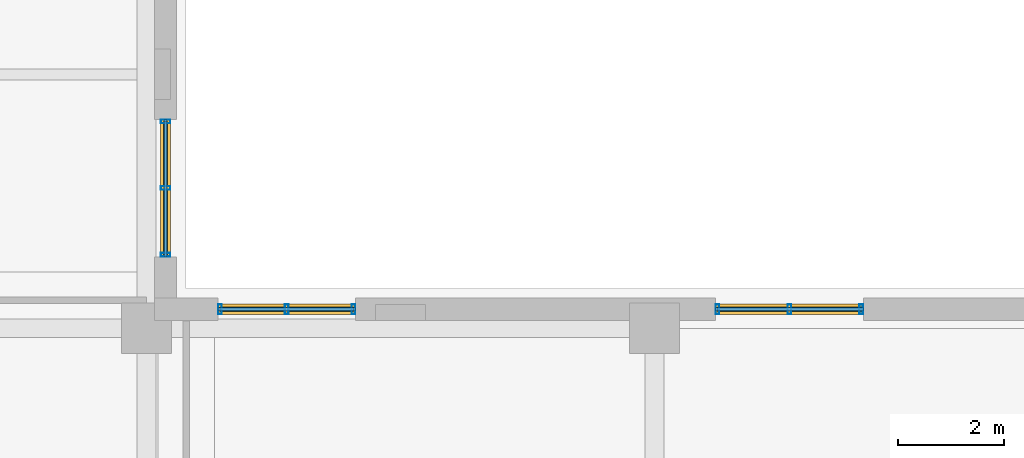
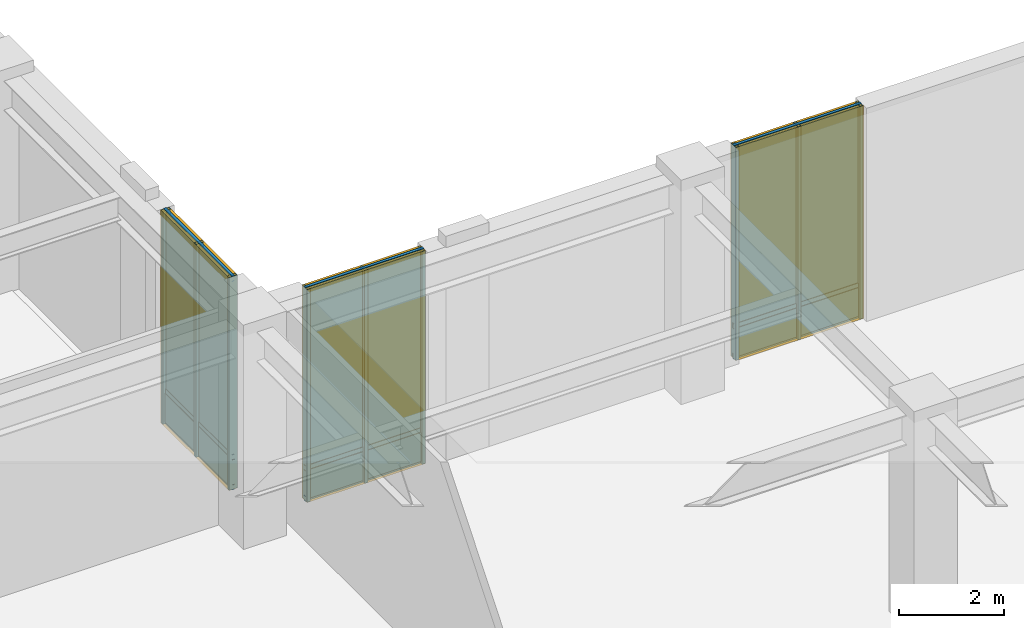
# One storey, part 11 of 18: 18 members, 12 plates, 3 curtain walls.
"""IFC4 building model written with IfcOpenShell, lengths in metres."""

import ifcopenshell
import ifcopenshell.guid

model = None  # the IFC model being written
_history = None  # IfcOwnerHistory: only IFC2X3 demands one
_inside = {}  # id of a spatial element -> (the spatial element, [elements in it])
_under = {}  # id of a project, library or spatial element -> (it, [spatial elements below it])
_declared = {}  # id of a project -> (the project, [libraries it declares])
_typed = {}  # id of a type object -> (the type object, [elements of that type])
_made_of = {}  # id of a material, layer set ... -> (it, [elements and type objects made of it])


def new_model(schema):
    """Start an empty IFC model of exactly this schema.

    Asked for "IFC4X3", IfcOpenShell would pick the latest addendum, in which some entities
    have other attributes; the version numbers below select the first issue.
    IFC2X3 requires an IfcOwnerHistory on every rooted entity: one is made here for all.
    """
    global model, _history
    if schema == "IFC4X3":
        model = ifcopenshell.file(schema_version=(4, 3, 0, 0))
    else:
        model = ifcopenshell.file(schema=schema)
    _inside.clear()
    _under.clear()
    _declared.clear()
    _typed.clear()
    _made_of.clear()
    _history = None
    if model.schema == "IFC2X3":
        org = make("IfcOrganization", Name="unknown")
        user = make(
            "IfcPersonAndOrganization",
            ThePerson=make("IfcPerson", FamilyName="unknown"),
            TheOrganization=org,
        )
        app = make(
            "IfcApplication",
            ApplicationDeveloper=org,
            Version="unknown",
            ApplicationFullName="unknown",
            ApplicationIdentifier="unknown",
        )
        _history = make(
            "IfcOwnerHistory",
            OwningUser=user,
            OwningApplication=app,
            ChangeAction="ADDED",
            CreationDate=0,
        )
    return model


def make(cls, **values):
    """One entity of the class cls with the attributes given. An attribute that is None is left unset."""
    return model.create_entity(
        cls, **{name: value for name, value in values.items() if value is not None}
    )


def rooted(cls, **values):
    """An entity with a GlobalId (a new one), such as an element, a storey or a relation."""
    return make(cls, GlobalId=ifcopenshell.guid.new(), OwnerHistory=_history, **values)


def si_unit(unit_type, name, prefix=None):
    """IfcSIUnit, for example si_unit("LENGTHUNIT", "METRE", prefix="MILLI")."""
    return make("IfcSIUnit", UnitType=unit_type, Prefix=prefix, Name=name)


def assignment(units):
    """IfcUnitAssignment: the units of a project."""
    return None if units is None else make("IfcUnitAssignment", Units=units)


def point(xyz):
    """IfcCartesianPoint."""
    return None if xyz is None else make("IfcCartesianPoint", Coordinates=xyz)


def direction(xyz):
    """IfcDirection."""
    return None if xyz is None else make("IfcDirection", DirectionRatios=xyz)


def frame(location, z_axis=None, x_axis=None):
    """IfcAxis2Placement3D, a coordinate frame: its origin and axes. An axis left out is left unset."""
    return make(
        "IfcAxis2Placement3D",
        Location=point(location),
        Axis=direction(z_axis),
        RefDirection=direction(x_axis),
    )


def frame_2d(location, x_axis=None):
    """IfcAxis2Placement2D, a coordinate frame in the plane: its origin and x axis."""
    return make(
        "IfcAxis2Placement2D", Location=point(location), RefDirection=direction(x_axis)
    )


def origin():
    """The frame at (0, 0, 0) with its axes left unset."""
    return frame((0.0, 0.0, 0.0))


def origin_2d():
    """The frame at (0, 0) in the plane with its x axis left unset."""
    return frame_2d((0.0, 0.0))


def place(relative_to, where):
    """IfcLocalPlacement: puts the frame where relative to a parent placement (None: the world)."""
    return make(
        "IfcLocalPlacement", PlacementRelTo=relative_to, RelativePlacement=where
    )


def context(
    kind, dimensions, precision=None, world=None, true_north=None, identifier=None
):
    """IfcGeometricRepresentationContext, for example the 3D "Model" context."""
    return make(
        "IfcGeometricRepresentationContext",
        ContextIdentifier=identifier,
        ContextType=kind,
        CoordinateSpaceDimension=dimensions,
        Precision=precision,
        WorldCoordinateSystem=world,
        TrueNorth=true_north,
    )


def subcontext(parent, identifier, kind, view, scale=None):
    """IfcGeometricRepresentationSubContext, for example "Body" below "Model"."""
    return make(
        "IfcGeometricRepresentationSubContext",
        ContextIdentifier=identifier,
        ContextType=kind,
        ParentContext=parent,
        TargetScale=scale,
        TargetView=view,
    )


def project(units=None, contexts=None):
    """IfcProject with its units and contexts."""
    return rooted(
        "IfcProject",
        Name="project",
        RepresentationContexts=contexts,
        UnitsInContext=assignment(units),
    )


def spatial(cls, under=None, at=None, **own):
    """A site, building, storey or space (cls), placed at a placement, below another one or the project."""
    s = rooted(cls, ObjectPlacement=at, **own)
    if under is not None:
        _under.setdefault(under.id(), (under, []))[1].append(s)
    return s


def profile(cls, at=None, kind="AREA", **sizes):
    """A parametric profile (cls). Its sizes go by their IFC names, for example OverallWidth=200.0."""
    return make(cls, ProfileType=kind, Position=at, **sizes)


def rectangle(**sizes):
    """IfcRectangleProfileDef."""
    return profile("IfcRectangleProfileDef", **sizes)


def hollow_rectangle(**sizes):
    """IfcRectangleHollowProfileDef."""
    return profile("IfcRectangleHollowProfileDef", **sizes)


def extrude(swept, where, along, depth):
    """IfcExtrudedAreaSolid: the profile swept, set in the frame where, extruded along a direction by depth."""
    return make(
        "IfcExtrudedAreaSolid",
        SweptArea=swept,
        Position=where,
        ExtrudedDirection=direction(along),
        Depth=depth,
    )


def shape(context_of_items, identifier, shape_type, items):
    """IfcShapeRepresentation: the items that make up one representation, for example the "Body"."""
    return make(
        "IfcShapeRepresentation",
        ContextOfItems=context_of_items,
        RepresentationIdentifier=identifier,
        RepresentationType=shape_type,
        Items=items,
    )


def material(Name=None, Category=None):
    """IfcMaterial."""
    return make("IfcMaterial", Name=Name, Category=Category)


def layer(
    of_material, thickness, ventilated=None, Name=None, Category=None, Priority=None
):
    """IfcMaterialLayer: one layer of a wall or slab, of a material (None: an air gap)."""
    return make(
        "IfcMaterialLayer",
        Material=of_material,
        LayerThickness=thickness,
        IsVentilated=ventilated,
        Name=Name,
        Category=Category,
        Priority=Priority,
    )


def layer_set(layers, Name=None):
    """IfcMaterialLayerSet."""
    return make("IfcMaterialLayerSet", MaterialLayers=layers, LayerSetName=Name)


def material_profile(
    of_material, cross_section, Name=None, Category=None, Priority=None
):
    """IfcMaterialProfile: a cross section and its material."""
    return make(
        "IfcMaterialProfile",
        Name=Name,
        Material=of_material,
        Profile=cross_section,
        Priority=Priority,
        Category=Category,
    )


def profile_set(profiles, Name=None, composite=None):
    """IfcMaterialProfileSet."""
    return make(
        "IfcMaterialProfileSet",
        Name=Name,
        MaterialProfiles=profiles,
        CompositeProfile=composite,
    )


def made_of(thing, what):
    """Note that an element or type object is made of a material, layer set ...; save() writes the relation."""
    if what is not None:
        _made_of.setdefault(what.id(), (what, []))[1].append(thing)
    return thing


def type_object(cls, material=None, **own):
    """A type object (cls), such as IfcWallType, which elements share."""
    return made_of(rooted(cls, **own), material)


def element(
    cls,
    number,
    at=None,
    inside=None,
    cuts=None,
    type_object=None,
    material=None,
    context=None,
    identifier="Body",
    shape_type=None,
    held_by="IfcProductDefinitionShape",
    body=None,
    shapes=None,
    **own,
):
    """One element of the class cls, such as IfcWall. Its Tag is "e" and its number.

    at: its placement. inside: the storey or other place that contains it. cuts: it is an
    opening in that element (IfcRelVoidsElement). A single representation is given by context,
    identifier, shape_type and body (its items); several are given by shapes. held_by: the class
    of the entity that holds the representations. save() writes the other relations.
    """
    e = rooted(cls, Tag="e%d" % number, ObjectPlacement=at, **own)
    if body is not None:
        shapes = [shape(context, identifier, shape_type, body)]
    if shapes is not None:
        e.Representation = make(held_by, Representations=shapes)
    if inside is not None:
        _inside.setdefault(inside.id(), (inside, []))[1].append(e)
    if cuts is not None:
        rooted(
            "IfcRelVoidsElement", RelatingBuildingElement=cuts, RelatedOpeningElement=e
        )
    if type_object is not None:
        _typed.setdefault(type_object.id(), (type_object, []))[1].append(e)
    return made_of(e, material)


def aggregate(whole, parts):
    """IfcRelAggregates: a whole, such as a stair, and the parts it consists of."""
    return rooted("IfcRelAggregates", RelatingObject=whole, RelatedObjects=parts)


def save(model, path):
    """Write the relations noted so far, then the file.

    IfcRelAggregates (storeys below a building ...), IfcRelContainedInSpatialStructure (elements
    in a storey), IfcRelDefinesByType, IfcRelAssociatesMaterial and IfcRelDeclares: one each for
    every whole, place, type object, material and project.
    """
    for whole, parts in _under.values():
        aggregate(whole, parts)
    for where, things in _inside.values():
        rooted(
            "IfcRelContainedInSpatialStructure",
            RelatedElements=things,
            RelatingStructure=where,
        )
    for kind, things in _typed.values():
        rooted("IfcRelDefinesByType", RelatedObjects=things, RelatingType=kind)
    for what, things in _made_of.values():
        rooted("IfcRelAssociatesMaterial", RelatedObjects=things, RelatingMaterial=what)
    for by, libraries in _declared.values():
        rooted("IfcRelDeclares", RelatingContext=by, RelatedDefinitions=libraries)
    model.write(path)


model = new_model("IFC4")

# Units and contexts
model_context = context("Model", 3, precision=1e-05, world=origin(), true_north=direction((0.0, 1.0)))
body_context = subcontext(model_context, "Body", "Model", "MODEL_VIEW")
ifc_project = project(units=[si_unit("LENGTHUNIT", "METRE"), si_unit("AREAUNIT", "SQUARE_METRE"), si_unit("VOLUMEUNIT", "CUBIC_METRE"), si_unit("PLANEANGLEUNIT", "RADIAN"), si_unit("MASSUNIT", "GRAM", prefix="KILO")], contexts=[model_context])

# Member
ifc_material_1 = material(Name="Anodized Aluminium 6063-T6", Category="aluminium")
ifc_material_profile_1 = material_profile(ifc_material_1, hollow_rectangle(XDim=0.070068359375, YDim=0.179931640625, WallThickness=0.00390625, at=origin_2d()), Name="Anodized Aluminium 6063-T6")
ifc_profile_set_1 = profile_set([ifc_material_profile_1], Name="Anodized Aluminium 6063-T6")
member_type_1 = type_object("IfcMemberType", Name="Curtain Wall Mullion 180", PredefinedType="MULLION", material=ifc_profile_set_1)
site_placement = place(None, origin())
building_placement = place(site_placement, origin())
storey_placement = place(building_placement, frame((0.0, 0.0, 150.800048828125)))
member_1_placement = place(storey_placement, frame((51.159912109375, 38.010009765625, 0.0), z_axis=(0.0, 0.0, 1.0), x_axis=(-1.0, 0.0, 0.0)))
member_1 = element("IfcMember", 1, at=member_1_placement, type_object=member_type_1, Name="Curtain Wall Mullion CW-L38-E07-1-M01", PredefinedType="MULLION", context=body_context, shape_type="SweptSolid", body=[
    extrude(hollow_rectangle(XDim=0.070068359375, YDim=0.179931640625, WallThickness=0.00390625, at=origin_2d()), origin(), (0.0, 0.0, 1.0), 4.93994140625),
])

member_2_placement = place(storey_placement, frame((49.800048828125, 38.010009765625, 0.0), z_axis=(0.0, 0.0, 1.0), x_axis=(-1.0, 0.0, 0.0)))
member_2 = element("IfcMember", 2, at=member_2_placement, type_object=member_type_1, Name="Curtain Wall Mullion CW-L38-E07-1-M02", PredefinedType="MULLION", context=body_context, shape_type="SweptSolid", body=[
    extrude(hollow_rectangle(XDim=0.070068359375, YDim=0.179931640625, WallThickness=0.00390625, at=origin_2d()), origin(), (0.0, 0.0, 1.0), 4.93994140625),
])

member_3_placement = place(storey_placement, frame((48.43994140625, 38.010009765625, 0.0), z_axis=(0.0, 0.0, 1.0), x_axis=(-1.0, 0.0, 0.0)))
member_3 = element("IfcMember", 3, at=member_3_placement, type_object=member_type_1, Name="Curtain Wall Mullion CW-L38-E07-1-M03", PredefinedType="MULLION", context=body_context, shape_type="SweptSolid", body=[
    extrude(hollow_rectangle(XDim=0.070068359375, YDim=0.179931640625, WallThickness=0.00390625, at=origin_2d()), origin(), (0.0, 0.0, 1.0), 4.93994140625),
])

member_4_placement = place(storey_placement, frame((41.56005859375, 38.010009765625, 0.0), z_axis=(0.0, 0.0, 1.0), x_axis=(-1.0, 0.0, 0.0)))
member_4 = element("IfcMember", 4, at=member_4_placement, type_object=member_type_1, Name="Curtain Wall Mullion CW-L38-E07-2-M01", PredefinedType="MULLION", context=body_context, shape_type="SweptSolid", body=[
    extrude(hollow_rectangle(XDim=0.070068359375, YDim=0.179931640625, WallThickness=0.00390625, at=origin_2d()), origin(), (0.0, 0.0, 1.0), 4.93994140625),
])

member_5_placement = place(storey_placement, frame((40.300048828125, 38.010009765625, 0.0), z_axis=(0.0, 0.0, 1.0), x_axis=(-1.0, 0.0, 0.0)))
member_5 = element("IfcMember", 5, at=member_5_placement, type_object=member_type_1, Name="Curtain Wall Mullion CW-L38-E07-2-M02", PredefinedType="MULLION", context=body_context, shape_type="SweptSolid", body=[
    extrude(hollow_rectangle(XDim=0.070068359375, YDim=0.179931640625, WallThickness=0.00390625, at=origin_2d()), origin(), (0.0, 0.0, 1.0), 4.93994140625),
])

member_6_placement = place(storey_placement, frame((39.0400390625, 38.010009765625, 0.0), z_axis=(0.0, 0.0, 1.0), x_axis=(-1.0, 0.0, 0.0)))
member_6 = element("IfcMember", 6, at=member_6_placement, type_object=member_type_1, Name="Curtain Wall Mullion CW-L38-E07-2-M03", PredefinedType="MULLION", context=body_context, shape_type="SweptSolid", body=[
    extrude(hollow_rectangle(XDim=0.070068359375, YDim=0.179931640625, WallThickness=0.00390625, at=origin_2d()), origin(), (0.0, 0.0, 1.0), 4.93994140625),
])

member_7_placement = place(storey_placement, frame((38.010009765625, 39.0400390625, 0.0), z_axis=(0.0, 0.0, 1.0), x_axis=(0.0, 1.0, 0.0)))
member_7 = element("IfcMember", 7, at=member_7_placement, type_object=member_type_1, Name="Curtain Wall Mullion CW-L38-E08-1-M01", PredefinedType="MULLION", context=body_context, shape_type="SweptSolid", body=[
    extrude(hollow_rectangle(XDim=0.070068359375, YDim=0.179931640625, WallThickness=0.00390625, at=origin_2d()), origin(), (0.0, 0.0, 1.0), 4.93994140625),
])

member_8_placement = place(storey_placement, frame((38.010009765625, 40.300048828125, 0.0), z_axis=(0.0, 0.0, 1.0), x_axis=(0.0, 1.0, 0.0)))
member_8 = element("IfcMember", 8, at=member_8_placement, type_object=member_type_1, Name="Curtain Wall Mullion CW-L38-E08-1-M02", PredefinedType="MULLION", context=body_context, shape_type="SweptSolid", body=[
    extrude(hollow_rectangle(XDim=0.070068359375, YDim=0.179931640625, WallThickness=0.00390625, at=origin_2d()), origin(), (0.0, 0.0, 1.0), 4.93994140625),
])

member_9_placement = place(storey_placement, frame((38.010009765625, 41.56005859375, 0.0), z_axis=(0.0, 0.0, 1.0), x_axis=(0.0, 1.0, 0.0)))
member_9 = element("IfcMember", 9, at=member_9_placement, type_object=member_type_1, Name="Curtain Wall Mullion CW-L38-E08-1-M03", PredefinedType="MULLION", context=body_context, shape_type="SweptSolid", body=[
    extrude(hollow_rectangle(XDim=0.070068359375, YDim=0.179931640625, WallThickness=0.00390625, at=origin_2d()), origin(), (0.0, 0.0, 1.0), 4.93994140625),
])

ifc_material_profile_2 = material_profile(ifc_material_1, hollow_rectangle(XDim=0.06005859375, YDim=0.1201171875, WallThickness=0.00341796875, at=origin_2d()), Name="Anodized Aluminium 6063-T6")
ifc_profile_set_2 = profile_set([ifc_material_profile_2], Name="Anodized Aluminium 6063-T6")
member_type_2 = type_object("IfcMemberType", Name="Curtain Wall Transom 120", PredefinedType="USERDEFINED", material=ifc_profile_set_2)
member_10_placement = place(storey_placement, frame((51.199951171875, 38.010009765625, 0.050048828125), z_axis=(-1.0, 0.0, 0.0), x_axis=(0.0, -1.0, 0.0)))
member_10 = element("IfcMember", 10, at=member_10_placement, type_object=member_type_2, Name="Curtain Wall Transom CW-L38-E07-1-T01", ObjectType="TRANSOM", PredefinedType="USERDEFINED", context=body_context, shape_type="SweptSolid", body=[
    extrude(hollow_rectangle(XDim=0.06005859375, YDim=0.1201171875, WallThickness=0.00341796875, at=origin_2d()), origin(), (0.0, 0.0, 1.0), 2.800048828125),
])

member_11_placement = place(storey_placement, frame((51.199951171875, 38.010009765625, 0.75), z_axis=(-1.0, 0.0, 0.0), x_axis=(0.0, -1.0, 0.0)))
member_11 = element("IfcMember", 11, at=member_11_placement, type_object=member_type_2, Name="Curtain Wall Transom CW-L38-E07-1-T02", ObjectType="TRANSOM", PredefinedType="USERDEFINED", context=body_context, shape_type="SweptSolid", body=[
    extrude(hollow_rectangle(XDim=0.06005859375, YDim=0.1201171875, WallThickness=0.00341796875, at=origin_2d()), origin(), (0.0, 0.0, 1.0), 2.800048828125),
])

member_12_placement = place(storey_placement, frame((51.199951171875, 38.010009765625, 4.889892578125), z_axis=(-1.0, 0.0, 0.0), x_axis=(0.0, -1.0, 0.0)))
member_12 = element("IfcMember", 12, at=member_12_placement, type_object=member_type_2, Name="Curtain Wall Transom CW-L38-E07-1-T03", ObjectType="TRANSOM", PredefinedType="USERDEFINED", context=body_context, shape_type="SweptSolid", body=[
    extrude(hollow_rectangle(XDim=0.06005859375, YDim=0.1201171875, WallThickness=0.00341796875, at=origin_2d()), origin(), (0.0, 0.0, 1.0), 2.800048828125),
])

member_13_placement = place(storey_placement, frame((41.60009765625, 38.010009765625, 0.050048828125), z_axis=(-1.0, 0.0, 0.0), x_axis=(0.0, -1.0, 0.0)))
member_13 = element("IfcMember", 13, at=member_13_placement, type_object=member_type_2, Name="Curtain Wall Transom CW-L38-E07-2-T01", ObjectType="TRANSOM", PredefinedType="USERDEFINED", context=body_context, shape_type="SweptSolid", body=[
    extrude(hollow_rectangle(XDim=0.06005859375, YDim=0.1201171875, WallThickness=0.00341796875, at=origin_2d()), origin(), (0.0, 0.0, 1.0), 2.60009765625),
])

member_14_placement = place(storey_placement, frame((41.60009765625, 38.010009765625, 0.75), z_axis=(-1.0, 0.0, 0.0), x_axis=(0.0, -1.0, 0.0)))
member_14 = element("IfcMember", 14, at=member_14_placement, type_object=member_type_2, Name="Curtain Wall Transom CW-L38-E07-2-T02", ObjectType="TRANSOM", PredefinedType="USERDEFINED", context=body_context, shape_type="SweptSolid", body=[
    extrude(hollow_rectangle(XDim=0.06005859375, YDim=0.1201171875, WallThickness=0.00341796875, at=origin_2d()), origin(), (0.0, 0.0, 1.0), 2.60009765625),
])

member_15_placement = place(storey_placement, frame((41.60009765625, 38.010009765625, 4.889892578125), z_axis=(-1.0, 0.0, 0.0), x_axis=(0.0, -1.0, 0.0)))
member_15 = element("IfcMember", 15, at=member_15_placement, type_object=member_type_2, Name="Curtain Wall Transom CW-L38-E07-2-T03", ObjectType="TRANSOM", PredefinedType="USERDEFINED", context=body_context, shape_type="SweptSolid", body=[
    extrude(hollow_rectangle(XDim=0.06005859375, YDim=0.1201171875, WallThickness=0.00341796875, at=origin_2d()), origin(), (0.0, 0.0, 1.0), 2.60009765625),
])

member_16_placement = place(storey_placement, frame((38.010009765625, 39.0, 0.050048828125), z_axis=(0.0, 1.0, 0.0), x_axis=(-1.0, 0.0, 0.0)))
member_16 = element("IfcMember", 16, at=member_16_placement, type_object=member_type_2, Name="Curtain Wall Transom CW-L38-E08-1-T01", ObjectType="TRANSOM", PredefinedType="USERDEFINED", context=body_context, shape_type="SweptSolid", body=[
    extrude(hollow_rectangle(XDim=0.06005859375, YDim=0.1201171875, WallThickness=0.00341796875, at=origin_2d()), origin(), (0.0, 0.0, 1.0), 2.60009765625),
])

member_17_placement = place(storey_placement, frame((38.010009765625, 39.0, 0.75), z_axis=(0.0, 1.0, 0.0), x_axis=(-1.0, 0.0, 0.0)))
member_17 = element("IfcMember", 17, at=member_17_placement, type_object=member_type_2, Name="Curtain Wall Transom CW-L38-E08-1-T02", ObjectType="TRANSOM", PredefinedType="USERDEFINED", context=body_context, shape_type="SweptSolid", body=[
    extrude(hollow_rectangle(XDim=0.06005859375, YDim=0.1201171875, WallThickness=0.00341796875, at=origin_2d()), origin(), (0.0, 0.0, 1.0), 2.60009765625),
])

member_18_placement = place(storey_placement, frame((38.010009765625, 39.0, 4.889892578125), z_axis=(0.0, 1.0, 0.0), x_axis=(-1.0, 0.0, 0.0)))
member_18 = element("IfcMember", 18, at=member_18_placement, type_object=member_type_2, Name="Curtain Wall Transom CW-L38-E08-1-T03", ObjectType="TRANSOM", PredefinedType="USERDEFINED", context=body_context, shape_type="SweptSolid", body=[
    extrude(hollow_rectangle(XDim=0.06005859375, YDim=0.1201171875, WallThickness=0.00341796875, at=origin_2d()), origin(), (0.0, 0.0, 1.0), 2.60009765625),
])

# Plate
ifc_material_2 = material(Name="Triple Low-E Argon Glazing", Category="glass")
ifc_layer_1 = layer(ifc_material_2, 0.0439453125, Name="Triple Low-E Argon Glazing")
ifc_layer_set_1 = layer_set([ifc_layer_1], Name="Triple Low-E Argon Glazing")
plate_type_1 = type_object("IfcPlateType", Name="Plate CWGlazing 44", PredefinedType="CURTAIN_PANEL", material=ifc_layer_set_1)
plate_1_placement = place(storey_placement, frame((50.5, 38.010009765625, 0.7900390625), z_axis=(0.0, 0.0, 1.0), x_axis=(-1.0, 0.0, 0.0)))
plate_1 = element("IfcPlate", 19, at=plate_1_placement, type_object=plate_type_1, Name="Vision Glazing Panel CW-L38-E07-1-GL01", PredefinedType="CURTAIN_PANEL", context=body_context, shape_type="SweptSolid", body=[
    extrude(rectangle(XDim=1.320068359375, YDim=0.0439453125, at=origin_2d()), origin(), (0.0, 0.0, 1.0), 4.110107421875),
])

plate_2_placement = place(storey_placement, frame((49.10009765625, 38.010009765625, 0.7900390625), z_axis=(0.0, 0.0, 1.0), x_axis=(-1.0, 0.0, 0.0)))
plate_2 = element("IfcPlate", 20, at=plate_2_placement, type_object=plate_type_1, Name="Vision Glazing Panel CW-L38-E07-1-GL02", PredefinedType="CURTAIN_PANEL", context=body_context, shape_type="SweptSolid", body=[
    extrude(rectangle(XDim=1.320068359375, YDim=0.0439453125, at=origin_2d()), origin(), (0.0, 0.0, 1.0), 4.110107421875),
])

plate_3_placement = place(storey_placement, frame((40.949951171875, 38.010009765625, 0.7900390625), z_axis=(0.0, 0.0, 1.0), x_axis=(-1.0, 0.0, 0.0)))
plate_3 = element("IfcPlate", 21, at=plate_3_placement, type_object=plate_type_1, Name="Vision Glazing Panel CW-L38-E07-2-GL01", PredefinedType="CURTAIN_PANEL", context=body_context, shape_type="SweptSolid", body=[
    extrude(rectangle(XDim=1.219970703125, YDim=0.0439453125, at=origin_2d()), origin(), (0.0, 0.0, 1.0), 4.110107421875),
])

plate_4_placement = place(storey_placement, frame((39.64990234375, 38.010009765625, 0.7900390625), z_axis=(0.0, 0.0, 1.0), x_axis=(-1.0, 0.0, 0.0)))
plate_4 = element("IfcPlate", 22, at=plate_4_placement, type_object=plate_type_1, Name="Vision Glazing Panel CW-L38-E07-2-GL02", PredefinedType="CURTAIN_PANEL", context=body_context, shape_type="SweptSolid", body=[
    extrude(rectangle(XDim=1.219970703125, YDim=0.0439453125, at=origin_2d()), origin(), (0.0, 0.0, 1.0), 4.110107421875),
])

plate_5_placement = place(storey_placement, frame((38.010009765625, 39.64990234375, 0.7900390625), z_axis=(0.0, 0.0, 1.0), x_axis=(0.0, 1.0, 0.0)))
plate_5 = element("IfcPlate", 23, at=plate_5_placement, type_object=plate_type_1, Name="Vision Glazing Panel CW-L38-E08-1-GL01", PredefinedType="CURTAIN_PANEL", context=body_context, shape_type="SweptSolid", body=[
    extrude(rectangle(XDim=1.219970703125, YDim=0.0439453125, at=origin_2d()), origin(), (0.0, 0.0, 1.0), 4.110107421875),
])

plate_6_placement = place(storey_placement, frame((38.010009765625, 40.949951171875, 0.7900390625), z_axis=(0.0, 0.0, 1.0), x_axis=(0.0, 1.0, 0.0)))
plate_6 = element("IfcPlate", 24, at=plate_6_placement, type_object=plate_type_1, Name="Vision Glazing Panel CW-L38-E08-1-GL02", PredefinedType="CURTAIN_PANEL", context=body_context, shape_type="SweptSolid", body=[
    extrude(rectangle(XDim=1.219970703125, YDim=0.0439453125, at=origin_2d()), origin(), (0.0, 0.0, 1.0), 4.110107421875),
])

ifc_material_3 = material(Name="Insulated Aluminium Spandrel Panel", Category="aluminium")
ifc_layer_2 = layer(ifc_material_3, 0.080078125, Name="Insulated Aluminium Spandrel Panel")
ifc_layer_set_2 = layer_set([ifc_layer_2], Name="Insulated Aluminium Spandrel Panel")
plate_type_2 = type_object("IfcPlateType", Name="Plate CWSpandrel 80", PredefinedType="SHEET", material=ifc_layer_set_2)
plate_7_placement = place(storey_placement, frame((50.5, 38.010009765625, 0.0400390625), z_axis=(0.0, 0.0, 1.0), x_axis=(-1.0, 0.0, 0.0)))
plate_7 = element("IfcPlate", 25, at=plate_7_placement, type_object=plate_type_2, Name="Spandrel Panel CW-L38-E07-1-SP01", PredefinedType="SHEET", context=body_context, shape_type="SweptSolid", body=[
    extrude(rectangle(XDim=1.320068359375, YDim=0.080078125, at=origin_2d()), origin(), (0.0, 0.0, 1.0), 0.669921875),
])

plate_8_placement = place(storey_placement, frame((49.10009765625, 38.010009765625, 0.0400390625), z_axis=(0.0, 0.0, 1.0), x_axis=(-1.0, 0.0, 0.0)))
plate_8 = element("IfcPlate", 26, at=plate_8_placement, type_object=plate_type_2, Name="Spandrel Panel CW-L38-E07-1-SP02", PredefinedType="SHEET", context=body_context, shape_type="SweptSolid", body=[
    extrude(rectangle(XDim=1.320068359375, YDim=0.080078125, at=origin_2d()), origin(), (0.0, 0.0, 1.0), 0.669921875),
])

plate_9_placement = place(storey_placement, frame((40.949951171875, 38.010009765625, 0.0400390625), z_axis=(0.0, 0.0, 1.0), x_axis=(-1.0, 0.0, 0.0)))
plate_9 = element("IfcPlate", 27, at=plate_9_placement, type_object=plate_type_2, Name="Spandrel Panel CW-L38-E07-2-SP01", PredefinedType="SHEET", context=body_context, shape_type="SweptSolid", body=[
    extrude(rectangle(XDim=1.219970703125, YDim=0.080078125, at=origin_2d()), origin(), (0.0, 0.0, 1.0), 0.669921875),
])

plate_10_placement = place(storey_placement, frame((39.64990234375, 38.010009765625, 0.0400390625), z_axis=(0.0, 0.0, 1.0), x_axis=(-1.0, 0.0, 0.0)))
plate_10 = element("IfcPlate", 28, at=plate_10_placement, type_object=plate_type_2, Name="Spandrel Panel CW-L38-E07-2-SP02", PredefinedType="SHEET", context=body_context, shape_type="SweptSolid", body=[
    extrude(rectangle(XDim=1.219970703125, YDim=0.080078125, at=origin_2d()), origin(), (0.0, 0.0, 1.0), 0.669921875),
])

plate_11_placement = place(storey_placement, frame((38.010009765625, 39.64990234375, 0.0400390625), z_axis=(0.0, 0.0, 1.0), x_axis=(0.0, 1.0, 0.0)))
plate_11 = element("IfcPlate", 29, at=plate_11_placement, type_object=plate_type_2, Name="Spandrel Panel CW-L38-E08-1-SP01", PredefinedType="SHEET", context=body_context, shape_type="SweptSolid", body=[
    extrude(rectangle(XDim=1.219970703125, YDim=0.080078125, at=origin_2d()), origin(), (0.0, 0.0, 1.0), 0.669921875),
])

plate_12_placement = place(storey_placement, frame((38.010009765625, 40.949951171875, 0.0400390625), z_axis=(0.0, 0.0, 1.0), x_axis=(0.0, 1.0, 0.0)))
plate_12 = element("IfcPlate", 30, at=plate_12_placement, type_object=plate_type_2, Name="Spandrel Panel CW-L38-E08-1-SP02", PredefinedType="SHEET", context=body_context, shape_type="SweptSolid", body=[
    extrude(rectangle(XDim=1.219970703125, YDim=0.080078125, at=origin_2d()), origin(), (0.0, 0.0, 1.0), 0.669921875),
])

# Site, building, storey
site = spatial("IfcSite", under=ifc_project, at=site_placement, CompositionType="ELEMENT")
building = spatial("IfcBuilding", under=site, at=building_placement, Name="Norrvale University Quadrangle", CompositionType="ELEMENT")
storey = spatial("IfcBuildingStorey", under=building, at=storey_placement, Name="L38", CompositionType="ELEMENT", Elevation=150.800048828125)

# Curtain wall
ifc_material_4 = material(Name="Anodized Aluminium and Triple Glazing", Category="glass")
curtain_wall_type = type_object("IfcCurtainWallType", Name="Curtain Wall System 3 Sky Lobby", PredefinedType="NOTDEFINED", material=ifc_material_4)
curtain_wall_1_placement = place(storey_placement, frame((51.199951171875, 38.010009765625, 0.0), z_axis=(0.0, 0.0, 1.0), x_axis=(-1.0, 0.0, 0.0)))
curtain_wall_1 = element("IfcCurtainWall", 31, at=curtain_wall_1_placement, inside=storey, type_object=curtain_wall_type, Name="Curtain Wall CW System 3 Sky Lobby CW-L38-E07-1", PredefinedType="NOTDEFINED", context=body_context, shape_type="SweptSolid", body=[
    extrude(rectangle(XDim=2.800048828125, YDim=0.18994140625, at=frame_2d((1.39990234375, 0.0))), origin(), (0.0, 0.0, 1.0), 4.93994140625),
])

aggregate(curtain_wall_1, [member_1, member_2, member_3, member_10, member_11, member_12, plate_7, plate_1, plate_8, plate_2])

curtain_wall_2_placement = place(storey_placement, frame((41.60009765625, 38.010009765625, 0.0), z_axis=(0.0, 0.0, 1.0), x_axis=(-1.0, 0.0, 0.0)))
curtain_wall_2 = element("IfcCurtainWall", 32, at=curtain_wall_2_placement, inside=storey, type_object=curtain_wall_type, Name="Curtain Wall CW System 3 Sky Lobby CW-L38-E07-2", PredefinedType="NOTDEFINED", context=body_context, shape_type="SweptSolid", body=[
    extrude(rectangle(XDim=2.60009765625, YDim=0.18994140625, at=frame_2d((1.300048828125, 0.0))), origin(), (0.0, 0.0, 1.0), 4.93994140625),
])

aggregate(curtain_wall_2, [member_4, member_5, member_6, member_13, member_14, member_15, plate_9, plate_3, plate_10, plate_4])

curtain_wall_3_placement = place(storey_placement, frame((38.010009765625, 39.0, 0.0), z_axis=(0.0, 0.0, 1.0), x_axis=(0.0, 1.0, 0.0)))
curtain_wall_3 = element("IfcCurtainWall", 33, at=curtain_wall_3_placement, inside=storey, type_object=curtain_wall_type, Name="Curtain Wall CW System 3 Sky Lobby CW-L38-E08-1", PredefinedType="NOTDEFINED", context=body_context, shape_type="SweptSolid", body=[
    extrude(rectangle(XDim=2.60009765625, YDim=0.18994140625, at=frame_2d((1.300048828125, 0.0))), origin(), (0.0, 0.0, 1.0), 4.93994140625),
])

aggregate(curtain_wall_3, [member_7, member_8, member_9, member_16, member_17, member_18, plate_11, plate_5, plate_12, plate_6])

save(model, "model.ifc")
